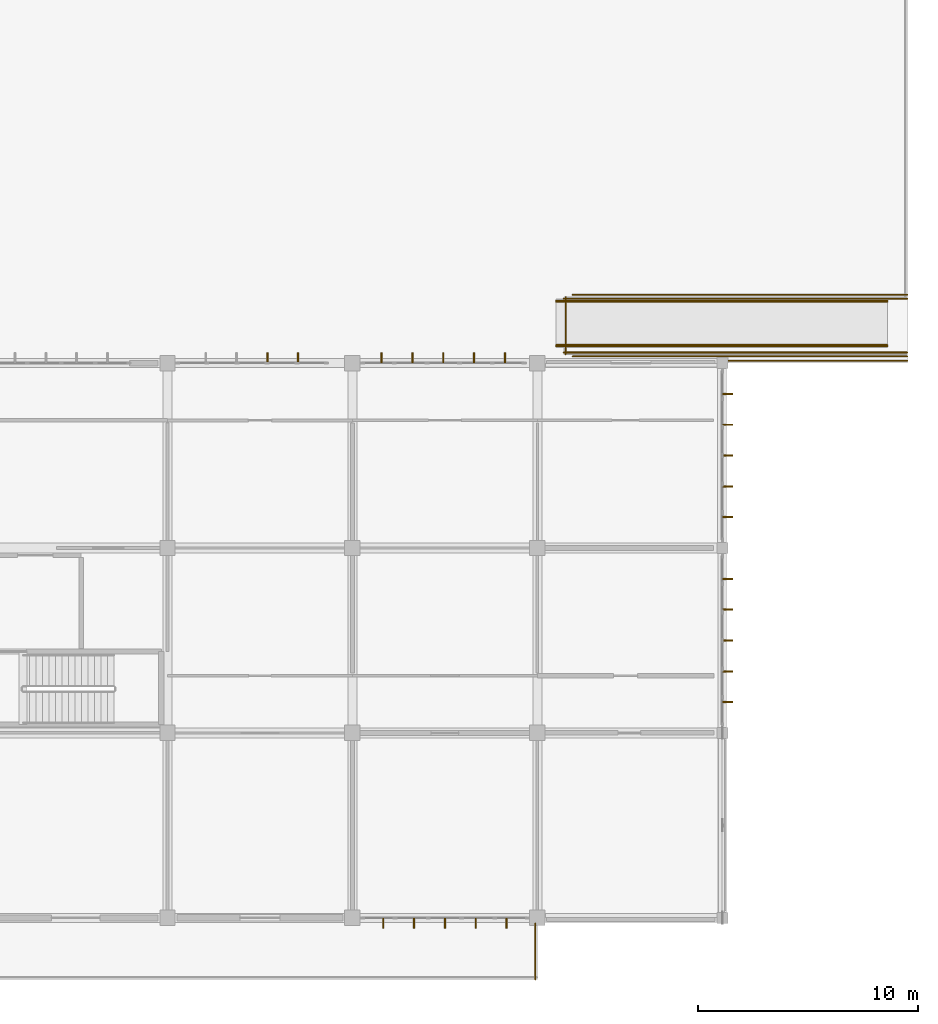
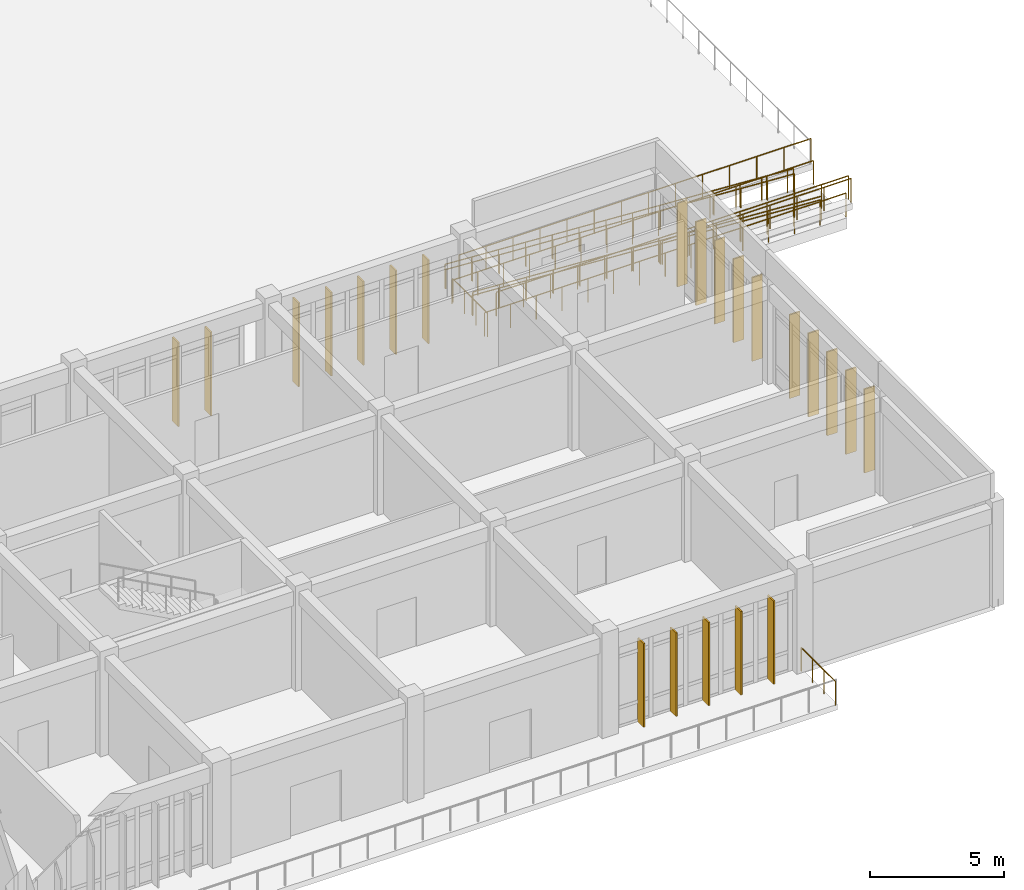
# One storey, part 132 of 138: 22 shading devices, 11 railings.
"""IFC4 building model written with IfcOpenShell, lengths in metres."""

from ifc_helpers import new_model, si_unit, direction, frame, origin, origin_2d, place, context, subcontext, project, spatial, rectangle, circle, extrude, material, material_profile, profile_set, type_object, element, save


model = new_model("IFC4")

# Units and contexts
model_context = context("Model", 3, precision=1e-05, world=origin(), true_north=direction((0.0, 1.0)))
body_context = subcontext(model_context, "Body", "Model", "MODEL_VIEW")
ifc_project = project(units=[si_unit("LENGTHUNIT", "METRE"), si_unit("AREAUNIT", "SQUARE_METRE"), si_unit("VOLUMEUNIT", "CUBIC_METRE"), si_unit("PLANEANGLEUNIT", "RADIAN"), si_unit("MASSUNIT", "GRAM", prefix="KILO")], contexts=[model_context])

# Site, building, storey
site_placement = place(None, origin())
site = spatial("IfcSite", under=ifc_project, at=site_placement, CompositionType="ELEMENT")
building_placement = place(site_placement, origin())
building = spatial("IfcBuilding", under=site, at=building_placement, Name="Bramfleet General Hospital", CompositionType="ELEMENT")
storey_placement = place(building_placement, origin())
storey = spatial("IfcBuildingStorey", under=building, at=storey_placement, Name="L00", CompositionType="ELEMENT", Elevation=0.0)

# Railings
ifc_material_1 = material(Name="Stainless steel 1.4401 safety balustrade", Category="steel")
railing_type_1 = type_object("IfcRailingType", Name="RAIL-EXT-GUARD", PredefinedType="GUARDRAIL", material=ifc_material_1)
railing_1_placement = place(storey_placement, frame((184.800048828125, 28.300048828125, 0.0)))
element("IfcRailing", 1, at=railing_1_placement, inside=storey, type_object=railing_type_1, Name="L00 Flood-Plinth Guard 240", PredefinedType="GUARDRAIL", context=body_context, shape_type="SweptSolid", body=[
    extrude(circle(Radius=0.02392578125, at=origin_2d()), frame((0.0, 0.0, 1.076171875), z_axis=(-1.0, 0.0, 0.0), x_axis=(0.0, -1.0, 0.0)), (0.0, 0.0, 1.0), 15.199951171875),
    extrude(circle(Radius=0.02099609375, at=origin_2d()), origin(), (0.0, 0.0, 1.0), 1.052001953125),
    extrude(circle(Radius=0.02099609375, at=origin_2d()), frame((-1.169189453125, 0.0, 0.0)), (0.0, 0.0, 1.0), 1.052001953125),
    extrude(circle(Radius=0.02099609375, at=origin_2d()), frame((-2.33837890625, 0.0, 0.0)), (0.0, 0.0, 1.0), 1.052001953125),
    extrude(circle(Radius=0.02099609375, at=origin_2d()), frame((-3.507568359375, 0.0, 0.0)), (0.0, 0.0, 1.0), 1.052001953125),
    extrude(circle(Radius=0.02099609375, at=origin_2d()), frame((-4.677001953125, 0.0, 0.0)), (0.0, 0.0, 1.0), 1.052001953125),
    extrude(circle(Radius=0.02099609375, at=origin_2d()), frame((-5.84619140625, 0.0, 0.0)), (0.0, 0.0, 1.0), 1.052001953125),
    extrude(circle(Radius=0.02099609375, at=origin_2d()), frame((-7.015380859375, 0.0, 0.0)), (0.0, 0.0, 1.0), 1.052001953125),
    extrude(circle(Radius=0.02099609375, at=origin_2d()), frame((-8.1845703125, 0.0, 0.0)), (0.0, 0.0, 1.0), 1.052001953125),
    extrude(circle(Radius=0.02099609375, at=origin_2d()), frame((-9.353759765625, 0.0, 0.0)), (0.0, 0.0, 1.0), 1.052001953125),
    extrude(circle(Radius=0.02099609375, at=origin_2d()), frame((-10.52294921875, 0.0, 0.0)), (0.0, 0.0, 1.0), 1.052001953125),
    extrude(circle(Radius=0.02099609375, at=origin_2d()), frame((-11.6923828125, 0.0, 0.0)), (0.0, 0.0, 1.0), 1.052001953125),
    extrude(circle(Radius=0.02099609375, at=origin_2d()), frame((-12.861572265625, 0.0, 0.0)), (0.0, 0.0, 1.0), 1.052001953125),
    extrude(circle(Radius=0.02099609375, at=origin_2d()), frame((-14.03076171875, 0.0, 0.0)), (0.0, 0.0, 1.0), 1.052001953125),
    extrude(circle(Radius=0.02099609375, at=origin_2d()), frame((-15.199951171875, 0.0, 0.0)), (0.0, 0.0, 1.0), 1.052001953125),
])
railing_2_placement = place(storey_placement, frame((169.60009765625, 25.5, 0.0)))
element("IfcRailing", 2, at=railing_2_placement, inside=storey, type_object=railing_type_1, Name="L00 Flood-Plinth Guard 241", PredefinedType="GUARDRAIL", context=body_context, shape_type="SweptSolid", body=[
    extrude(circle(Radius=0.02392578125, at=origin_2d()), frame((0.0, 0.0, 1.076171875), z_axis=(1.0, 0.0, 0.0), x_axis=(0.0, 1.0, 0.0)), (0.0, 0.0, 1.0), 15.199951171875),
    extrude(circle(Radius=0.02099609375, at=origin_2d()), origin(), (0.0, 0.0, 1.0), 1.052001953125),
    extrude(circle(Radius=0.02099609375, at=origin_2d()), frame((1.169189453125, 0.0, 0.0)), (0.0, 0.0, 1.0), 1.052001953125),
    extrude(circle(Radius=0.02099609375, at=origin_2d()), frame((2.33837890625, 0.0, 0.0)), (0.0, 0.0, 1.0), 1.052001953125),
    extrude(circle(Radius=0.02099609375, at=origin_2d()), frame((3.507568359375, 0.0, 0.0)), (0.0, 0.0, 1.0), 1.052001953125),
    extrude(circle(Radius=0.02099609375, at=origin_2d()), frame((4.677001953125, 0.0, 0.0)), (0.0, 0.0, 1.0), 1.052001953125),
    extrude(circle(Radius=0.02099609375, at=origin_2d()), frame((5.84619140625, 0.0, 0.0)), (0.0, 0.0, 1.0), 1.052001953125),
    extrude(circle(Radius=0.02099609375, at=origin_2d()), frame((7.015380859375, 0.0, 0.0)), (0.0, 0.0, 1.0), 1.052001953125),
    extrude(circle(Radius=0.02099609375, at=origin_2d()), frame((8.1845703125, 0.0, 0.0)), (0.0, 0.0, 1.0), 1.052001953125),
    extrude(circle(Radius=0.02099609375, at=origin_2d()), frame((9.353759765625, 0.0, 0.0)), (0.0, 0.0, 1.0), 1.052001953125),
    extrude(circle(Radius=0.02099609375, at=origin_2d()), frame((10.52294921875, 0.0, 0.0)), (0.0, 0.0, 1.0), 1.052001953125),
    extrude(circle(Radius=0.02099609375, at=origin_2d()), frame((11.6923828125, 0.0, 0.0)), (0.0, 0.0, 1.0), 1.052001953125),
    extrude(circle(Radius=0.02099609375, at=origin_2d()), frame((12.861572265625, 0.0, 0.0)), (0.0, 0.0, 1.0), 1.052001953125),
    extrude(circle(Radius=0.02099609375, at=origin_2d()), frame((14.03076171875, 0.0, 0.0)), (0.0, 0.0, 1.0), 1.052001953125),
    extrude(circle(Radius=0.02099609375, at=origin_2d()), frame((15.199951171875, 0.0, 0.0)), (0.0, 0.0, 1.0), 1.052001953125),
])
railing_3_placement = place(storey_placement, frame((184.800048828125, 25.300048828125, 0.0)))
element("IfcRailing", 3, at=railing_3_placement, inside=storey, type_object=railing_type_1, Name="L00 Flood-Plinth Guard 242", PredefinedType="GUARDRAIL", context=body_context, shape_type="SweptSolid", body=[
    extrude(circle(Radius=0.02392578125, at=origin_2d()), frame((0.0, 0.0, 1.076171875), z_axis=(-1.0, 0.0, 0.0), x_axis=(0.0, -1.0, 0.0)), (0.0, 0.0, 1.0), 8.150146484375),
    extrude(circle(Radius=0.02099609375, at=origin_2d()), origin(), (0.0, 0.0, 1.0), 1.052001953125),
    extrude(circle(Radius=0.02099609375, at=origin_2d()), frame((-1.164306640625, 0.0, 0.0)), (0.0, 0.0, 1.0), 1.052001953125),
    extrude(circle(Radius=0.02099609375, at=origin_2d()), frame((-2.32861328125, 0.0, 0.0)), (0.0, 0.0, 1.0), 1.052001953125),
    extrude(circle(Radius=0.02099609375, at=origin_2d()), frame((-3.492919921875, 0.0, 0.0)), (0.0, 0.0, 1.0), 1.052001953125),
    extrude(circle(Radius=0.02099609375, at=origin_2d()), frame((-4.6572265625, 0.0, 0.0)), (0.0, 0.0, 1.0), 1.052001953125),
    extrude(circle(Radius=0.02099609375, at=origin_2d()), frame((-5.821533203125, 0.0, 0.0)), (0.0, 0.0, 1.0), 1.052001953125),
    extrude(circle(Radius=0.02099609375, at=origin_2d()), frame((-6.98583984375, 0.0, 0.0)), (0.0, 0.0, 1.0), 1.052001953125),
    extrude(circle(Radius=0.02099609375, at=origin_2d()), frame((-8.150146484375, 0.0, 0.0)), (0.0, 0.0, 1.0), 1.052001953125),
])
railing_4_placement = place(storey_placement, frame((167.89990234375, -0.25, 0.0)))
element("IfcRailing", 4, at=railing_4_placement, inside=storey, type_object=railing_type_1, Name="L00 Flood-Plinth Guard 243", PredefinedType="GUARDRAIL", context=body_context, shape_type="SweptSolid", body=[
    extrude(circle(Radius=0.02392578125, at=origin_2d()), frame((0.0, 0.0, 1.076171875), z_axis=(0.0, -1.0, 0.0), x_axis=(1.0, 0.0, 0.0)), (0.0, 0.0, 1.0), 2.550048828125),
    extrude(circle(Radius=0.02099609375, at=origin_2d()), origin(), (0.0, 0.0, 1.0), 1.052001953125),
    extrude(circle(Radius=0.02099609375, at=origin_2d()), frame((0.0, -0.85009765625, 0.0)), (0.0, 0.0, 1.0), 1.052001953125),
    extrude(circle(Radius=0.02099609375, at=origin_2d()), frame((0.0, -1.699951171875, 0.0)), (0.0, 0.0, 1.0), 1.052001953125),
    extrude(circle(Radius=0.02099609375, at=origin_2d()), frame((0.0, -2.550048828125, 0.0)), (0.0, 0.0, 1.0), 1.052001953125),
])
railing_5_placement = place(storey_placement, frame((169.199951171875, 25.679931640625, -0.89990234375)))
element("IfcRailing", 5, at=railing_5_placement, inside=storey, type_object=railing_type_1, Name="Ramp Pocket Guard 5.256", PredefinedType="GUARDRAIL", context=body_context, shape_type="SweptSolid", body=[
    extrude(circle(Radius=0.02392578125, at=origin_2d()), frame((0.0, 0.0, 1.076171875), z_axis=(1.0, 0.0, 0.0), x_axis=(0.0, 1.0, 0.0)), (0.0, 0.0, 1.0), 15.60009765625),
    extrude(circle(Radius=0.02099609375, at=origin_2d()), origin(), (0.0, 0.0, 1.0), 1.052001953125),
    extrude(circle(Radius=0.02099609375, at=origin_2d()), frame((1.1142578125, 0.0, 0.0)), (0.0, 0.0, 1.0), 1.052001953125),
    extrude(circle(Radius=0.02099609375, at=origin_2d()), frame((2.228515625, 0.0, 0.0)), (0.0, 0.0, 1.0), 1.052001953125),
    extrude(circle(Radius=0.02099609375, at=origin_2d()), frame((3.3427734375, 0.0, 0.0)), (0.0, 0.0, 1.0), 1.052001953125),
    extrude(circle(Radius=0.02099609375, at=origin_2d()), frame((4.457275390625, 0.0, 0.0)), (0.0, 0.0, 1.0), 1.052001953125),
    extrude(circle(Radius=0.02099609375, at=origin_2d()), frame((5.571533203125, 0.0, 0.0)), (0.0, 0.0, 1.0), 1.052001953125),
    extrude(circle(Radius=0.02099609375, at=origin_2d()), frame((6.685791015625, 0.0, 0.0)), (0.0, 0.0, 1.0), 1.052001953125),
    extrude(circle(Radius=0.02099609375, at=origin_2d()), frame((7.800048828125, 0.0, 0.0)), (0.0, 0.0, 1.0), 1.052001953125),
    extrude(circle(Radius=0.02099609375, at=origin_2d()), frame((8.914306640625, 0.0, 0.0)), (0.0, 0.0, 1.0), 1.052001953125),
    extrude(circle(Radius=0.02099609375, at=origin_2d()), frame((10.028564453125, 0.0, 0.0)), (0.0, 0.0, 1.0), 1.052001953125),
    extrude(circle(Radius=0.02099609375, at=origin_2d()), frame((11.142822265625, 0.0, 0.0)), (0.0, 0.0, 1.0), 1.052001953125),
    extrude(circle(Radius=0.02099609375, at=origin_2d()), frame((12.25732421875, 0.0, 0.0)), (0.0, 0.0, 1.0), 1.052001953125),
    extrude(circle(Radius=0.02099609375, at=origin_2d()), frame((13.37158203125, 0.0, 0.0)), (0.0, 0.0, 1.0), 1.052001953125),
    extrude(circle(Radius=0.02099609375, at=origin_2d()), frame((14.48583984375, 0.0, 0.0)), (0.0, 0.0, 1.0), 1.052001953125),
    extrude(circle(Radius=0.02099609375, at=origin_2d()), frame((15.60009765625, 0.0, 0.0)), (0.0, 0.0, 1.0), 1.052001953125),
])
railing_6_placement = place(storey_placement, frame((184.800048828125, 28.1201171875, -0.89990234375)))
element("IfcRailing", 6, at=railing_6_placement, inside=storey, type_object=railing_type_1, Name="Ramp Pocket Guard 5.257", PredefinedType="GUARDRAIL", context=body_context, shape_type="SweptSolid", body=[
    extrude(circle(Radius=0.02392578125, at=origin_2d()), frame((0.0, 0.0, 1.076171875), z_axis=(-1.0, 0.0, 0.0), x_axis=(0.0, -1.0, 0.0)), (0.0, 0.0, 1.0), 15.60009765625),
    extrude(circle(Radius=0.02099609375, at=origin_2d()), origin(), (0.0, 0.0, 1.0), 1.052001953125),
    extrude(circle(Radius=0.02099609375, at=origin_2d()), frame((-1.1142578125, 0.0, 0.0)), (0.0, 0.0, 1.0), 1.052001953125),
    extrude(circle(Radius=0.02099609375, at=origin_2d()), frame((-2.228515625, 0.0, 0.0)), (0.0, 0.0, 1.0), 1.052001953125),
    extrude(circle(Radius=0.02099609375, at=origin_2d()), frame((-3.3427734375, 0.0, 0.0)), (0.0, 0.0, 1.0), 1.052001953125),
    extrude(circle(Radius=0.02099609375, at=origin_2d()), frame((-4.457275390625, 0.0, 0.0)), (0.0, 0.0, 1.0), 1.052001953125),
    extrude(circle(Radius=0.02099609375, at=origin_2d()), frame((-5.571533203125, 0.0, 0.0)), (0.0, 0.0, 1.0), 1.052001953125),
    extrude(circle(Radius=0.02099609375, at=origin_2d()), frame((-6.685791015625, 0.0, 0.0)), (0.0, 0.0, 1.0), 1.052001953125),
    extrude(circle(Radius=0.02099609375, at=origin_2d()), frame((-7.800048828125, 0.0, 0.0)), (0.0, 0.0, 1.0), 1.052001953125),
    extrude(circle(Radius=0.02099609375, at=origin_2d()), frame((-8.914306640625, 0.0, 0.0)), (0.0, 0.0, 1.0), 1.052001953125),
    extrude(circle(Radius=0.02099609375, at=origin_2d()), frame((-10.028564453125, 0.0, 0.0)), (0.0, 0.0, 1.0), 1.052001953125),
    extrude(circle(Radius=0.02099609375, at=origin_2d()), frame((-11.142822265625, 0.0, 0.0)), (0.0, 0.0, 1.0), 1.052001953125),
    extrude(circle(Radius=0.02099609375, at=origin_2d()), frame((-12.25732421875, 0.0, 0.0)), (0.0, 0.0, 1.0), 1.052001953125),
    extrude(circle(Radius=0.02099609375, at=origin_2d()), frame((-13.37158203125, 0.0, 0.0)), (0.0, 0.0, 1.0), 1.052001953125),
    extrude(circle(Radius=0.02099609375, at=origin_2d()), frame((-14.48583984375, 0.0, 0.0)), (0.0, 0.0, 1.0), 1.052001953125),
    extrude(circle(Radius=0.02099609375, at=origin_2d()), frame((-15.60009765625, 0.0, 0.0)), (0.0, 0.0, 1.0), 1.052001953125),
])
railing_7_placement = place(storey_placement, frame((169.280029296875, 28.199951171875, -0.89990234375)))
element("IfcRailing", 7, at=railing_7_placement, inside=storey, type_object=railing_type_1, Name="Ramp Pocket Guard 5.258", PredefinedType="GUARDRAIL", context=body_context, shape_type="SweptSolid", body=[
    extrude(circle(Radius=0.02392578125, at=origin_2d()), frame((0.0, 0.0, 1.076171875), z_axis=(0.0, -1.0, 0.0), x_axis=(1.0, 0.0, 0.0)), (0.0, 0.0, 1.0), 2.599853515625),
    extrude(circle(Radius=0.02099609375, at=origin_2d()), origin(), (0.0, 0.0, 1.0), 1.052001953125),
    extrude(circle(Radius=0.02099609375, at=origin_2d()), frame((0.0, -0.86669921875, 0.0)), (0.0, 0.0, 1.0), 1.052001953125),
    extrude(circle(Radius=0.02099609375, at=origin_2d()), frame((0.0, -1.733154296875, 0.0)), (0.0, 0.0, 1.0), 1.052001953125),
    extrude(circle(Radius=0.02099609375, at=origin_2d()), frame((0.0, -2.599853515625, 0.0)), (0.0, 0.0, 1.0), 1.052001953125),
])
railing_8_placement = place(storey_placement, frame((183.89990234375, 28.0400390625, -0.89990234375)))
element("IfcRailing", 8, at=railing_8_placement, inside=storey, type_object=railing_type_1, Name="Garden Court South Plinth Ramp Guardrail R", PredefinedType="GUARDRAIL", context=body_context, shape_type="SweptSolid", body=[
    extrude(circle(Radius=0.02392578125, at=origin_2d()), frame((0.0, 0.0, 1.076171875), z_axis=(-0.998217061543, 0.0, 0.059688340939), x_axis=(0.0, -1.0, 0.0)), (0.0, 0.0, 1.0), 15.07666015625),
    extrude(circle(Radius=0.02099609375, at=origin_2d()), origin(), (0.0, 0.0, 1.0), 1.052001953125),
    extrude(circle(Radius=0.02099609375, at=origin_2d()), frame((-1.15771484375, 0.0, 0.0693359375)), (0.0, 0.0, 1.0), 1.052001953125),
    extrude(circle(Radius=0.02099609375, at=origin_2d()), frame((-2.3154296875, 0.0, 0.138427734375)), (0.0, 0.0, 1.0), 1.052001953125),
    extrude(circle(Radius=0.02099609375, at=origin_2d()), frame((-3.47314453125, 0.0, 0.207763671875)), (0.0, 0.0, 1.0), 1.052001953125),
    extrude(circle(Radius=0.02099609375, at=origin_2d()), frame((-4.630615234375, 0.0, 0.27685546875)), (0.0, 0.0, 1.0), 1.052001953125),
    extrude(circle(Radius=0.02099609375, at=origin_2d()), frame((-5.788330078125, 0.0, 0.34619140625)), (0.0, 0.0, 1.0), 1.052001953125),
    extrude(circle(Radius=0.02099609375, at=origin_2d()), frame((-6.946044921875, 0.0, 0.415283203125)), (0.0, 0.0, 1.0), 1.052001953125),
    extrude(circle(Radius=0.02099609375, at=origin_2d()), frame((-8.103759765625, 0.0, 0.484619140625)), (0.0, 0.0, 1.0), 1.052001953125),
    extrude(circle(Radius=0.02099609375, at=origin_2d()), frame((-9.261474609375, 0.0, 0.5537109375)), (0.0, 0.0, 1.0), 1.052001953125),
    extrude(circle(Radius=0.02099609375, at=origin_2d()), frame((-10.419189453125, 0.0, 0.623046875)), (0.0, 0.0, 1.0), 1.052001953125),
    extrude(circle(Radius=0.02099609375, at=origin_2d()), frame((-11.57666015625, 0.0, 0.692138671875)), (0.0, 0.0, 1.0), 1.052001953125),
    extrude(circle(Radius=0.02099609375, at=origin_2d()), frame((-12.734375, 0.0, 0.761474609375)), (0.0, 0.0, 1.0), 1.052001953125),
    extrude(circle(Radius=0.02099609375, at=origin_2d()), frame((-13.89208984375, 0.0, 0.83056640625)), (0.0, 0.0, 1.0), 1.052001953125),
    extrude(circle(Radius=0.02099609375, at=origin_2d()), frame((-15.0498046875, 0.0, 0.89990234375)), (0.0, 0.0, 1.0), 1.052001953125),
])
railing_9_placement = place(storey_placement, frame((183.89990234375, 25.9599609375, -0.89990234375)))
element("IfcRailing", 9, at=railing_9_placement, inside=storey, type_object=railing_type_1, Name="Garden Court South Plinth Ramp Guardrail L", PredefinedType="GUARDRAIL", context=body_context, shape_type="SweptSolid", body=[
    extrude(circle(Radius=0.02392578125, at=origin_2d()), frame((0.0, 0.0, 1.076171875), z_axis=(-0.998217061543, 0.0, 0.059688340939), x_axis=(0.0, -1.0, 0.0)), (0.0, 0.0, 1.0), 15.07666015625),
    extrude(circle(Radius=0.02099609375, at=origin_2d()), origin(), (0.0, 0.0, 1.0), 1.052001953125),
    extrude(circle(Radius=0.02099609375, at=origin_2d()), frame((-1.15771484375, 0.0, 0.0693359375)), (0.0, 0.0, 1.0), 1.052001953125),
    extrude(circle(Radius=0.02099609375, at=origin_2d()), frame((-2.3154296875, 0.0, 0.138427734375)), (0.0, 0.0, 1.0), 1.052001953125),
    extrude(circle(Radius=0.02099609375, at=origin_2d()), frame((-3.47314453125, 0.0, 0.207763671875)), (0.0, 0.0, 1.0), 1.052001953125),
    extrude(circle(Radius=0.02099609375, at=origin_2d()), frame((-4.630615234375, 0.0, 0.27685546875)), (0.0, 0.0, 1.0), 1.052001953125),
    extrude(circle(Radius=0.02099609375, at=origin_2d()), frame((-5.788330078125, 0.0, 0.34619140625)), (0.0, 0.0, 1.0), 1.052001953125),
    extrude(circle(Radius=0.02099609375, at=origin_2d()), frame((-6.946044921875, 0.0, 0.415283203125)), (0.0, 0.0, 1.0), 1.052001953125),
    extrude(circle(Radius=0.02099609375, at=origin_2d()), frame((-8.103759765625, 0.0, 0.484619140625)), (0.0, 0.0, 1.0), 1.052001953125),
    extrude(circle(Radius=0.02099609375, at=origin_2d()), frame((-9.261474609375, 0.0, 0.5537109375)), (0.0, 0.0, 1.0), 1.052001953125),
    extrude(circle(Radius=0.02099609375, at=origin_2d()), frame((-10.419189453125, 0.0, 0.623046875)), (0.0, 0.0, 1.0), 1.052001953125),
    extrude(circle(Radius=0.02099609375, at=origin_2d()), frame((-11.57666015625, 0.0, 0.692138671875)), (0.0, 0.0, 1.0), 1.052001953125),
    extrude(circle(Radius=0.02099609375, at=origin_2d()), frame((-12.734375, 0.0, 0.761474609375)), (0.0, 0.0, 1.0), 1.052001953125),
    extrude(circle(Radius=0.02099609375, at=origin_2d()), frame((-13.89208984375, 0.0, 0.83056640625)), (0.0, 0.0, 1.0), 1.052001953125),
    extrude(circle(Radius=0.02099609375, at=origin_2d()), frame((-15.0498046875, 0.0, 0.89990234375)), (0.0, 0.0, 1.0), 1.052001953125),
])
ifc_material_2 = material(Name="Stainless steel 1.4401 handrail", Category="steel")
railing_type_2 = type_object("IfcRailingType", Name="RAIL-EXT-HND", PredefinedType="HANDRAIL", material=ifc_material_2)
railing_10_placement = place(storey_placement, frame((183.89990234375, 27.97998046875, -0.89990234375)))
element("IfcRailing", 10, at=railing_10_placement, inside=storey, type_object=railing_type_2, Name="Garden Court South Plinth Ramp Handrail R", PredefinedType="HANDRAIL", context=body_context, shape_type="SweptSolid", body=[
    extrude(circle(Radius=0.02392578125, at=origin_2d()), frame((0.0, 0.0, 0.8759765625), z_axis=(-0.998217061543, 0.0, 0.059688340939), x_axis=(0.0, -1.0, 0.0)), (0.0, 0.0, 1.0), 15.07666015625),
    extrude(circle(Radius=0.02099609375, at=origin_2d()), origin(), (0.0, 0.0, 1.0), 0.851806640625),
    extrude(circle(Radius=0.02099609375, at=origin_2d()), frame((-1.15771484375, 0.0, 0.0693359375)), (0.0, 0.0, 1.0), 0.851806640625),
    extrude(circle(Radius=0.02099609375, at=origin_2d()), frame((-2.3154296875, 0.0, 0.138427734375)), (0.0, 0.0, 1.0), 0.851806640625),
    extrude(circle(Radius=0.02099609375, at=origin_2d()), frame((-3.47314453125, 0.0, 0.207763671875)), (0.0, 0.0, 1.0), 0.851806640625),
    extrude(circle(Radius=0.02099609375, at=origin_2d()), frame((-4.630615234375, 0.0, 0.27685546875)), (0.0, 0.0, 1.0), 0.851806640625),
    extrude(circle(Radius=0.02099609375, at=origin_2d()), frame((-5.788330078125, 0.0, 0.34619140625)), (0.0, 0.0, 1.0), 0.851806640625),
    extrude(circle(Radius=0.02099609375, at=origin_2d()), frame((-6.946044921875, 0.0, 0.415283203125)), (0.0, 0.0, 1.0), 0.851806640625),
    extrude(circle(Radius=0.02099609375, at=origin_2d()), frame((-8.103759765625, 0.0, 0.484619140625)), (0.0, 0.0, 1.0), 0.851806640625),
    extrude(circle(Radius=0.02099609375, at=origin_2d()), frame((-9.261474609375, 0.0, 0.5537109375)), (0.0, 0.0, 1.0), 0.851806640625),
    extrude(circle(Radius=0.02099609375, at=origin_2d()), frame((-10.419189453125, 0.0, 0.623046875)), (0.0, 0.0, 1.0), 0.851806640625),
    extrude(circle(Radius=0.02099609375, at=origin_2d()), frame((-11.57666015625, 0.0, 0.692138671875)), (0.0, 0.0, 1.0), 0.851806640625),
    extrude(circle(Radius=0.02099609375, at=origin_2d()), frame((-12.734375, 0.0, 0.761474609375)), (0.0, 0.0, 1.0), 0.851806640625),
    extrude(circle(Radius=0.02099609375, at=origin_2d()), frame((-13.89208984375, 0.0, 0.83056640625)), (0.0, 0.0, 1.0), 0.851806640625),
    extrude(circle(Radius=0.02099609375, at=origin_2d()), frame((-15.0498046875, 0.0, 0.89990234375)), (0.0, 0.0, 1.0), 0.851806640625),
])
railing_11_placement = place(storey_placement, frame((183.89990234375, 26.02001953125, -0.89990234375)))
element("IfcRailing", 11, at=railing_11_placement, inside=storey, type_object=railing_type_2, Name="Garden Court South Plinth Ramp Handrail L", PredefinedType="HANDRAIL", context=body_context, shape_type="SweptSolid", body=[
    extrude(circle(Radius=0.02392578125, at=origin_2d()), frame((0.0, 0.0, 0.8759765625), z_axis=(-0.998217061543, 0.0, 0.059688340939), x_axis=(0.0, -1.0, 0.0)), (0.0, 0.0, 1.0), 15.07666015625),
    extrude(circle(Radius=0.02099609375, at=origin_2d()), origin(), (0.0, 0.0, 1.0), 0.851806640625),
    extrude(circle(Radius=0.02099609375, at=origin_2d()), frame((-1.15771484375, 0.0, 0.0693359375)), (0.0, 0.0, 1.0), 0.851806640625),
    extrude(circle(Radius=0.02099609375, at=origin_2d()), frame((-2.3154296875, 0.0, 0.138427734375)), (0.0, 0.0, 1.0), 0.851806640625),
    extrude(circle(Radius=0.02099609375, at=origin_2d()), frame((-3.47314453125, 0.0, 0.207763671875)), (0.0, 0.0, 1.0), 0.851806640625),
    extrude(circle(Radius=0.02099609375, at=origin_2d()), frame((-4.630615234375, 0.0, 0.27685546875)), (0.0, 0.0, 1.0), 0.851806640625),
    extrude(circle(Radius=0.02099609375, at=origin_2d()), frame((-5.788330078125, 0.0, 0.34619140625)), (0.0, 0.0, 1.0), 0.851806640625),
    extrude(circle(Radius=0.02099609375, at=origin_2d()), frame((-6.946044921875, 0.0, 0.415283203125)), (0.0, 0.0, 1.0), 0.851806640625),
    extrude(circle(Radius=0.02099609375, at=origin_2d()), frame((-8.103759765625, 0.0, 0.484619140625)), (0.0, 0.0, 1.0), 0.851806640625),
    extrude(circle(Radius=0.02099609375, at=origin_2d()), frame((-9.261474609375, 0.0, 0.5537109375)), (0.0, 0.0, 1.0), 0.851806640625),
    extrude(circle(Radius=0.02099609375, at=origin_2d()), frame((-10.419189453125, 0.0, 0.623046875)), (0.0, 0.0, 1.0), 0.851806640625),
    extrude(circle(Radius=0.02099609375, at=origin_2d()), frame((-11.57666015625, 0.0, 0.692138671875)), (0.0, 0.0, 1.0), 0.851806640625),
    extrude(circle(Radius=0.02099609375, at=origin_2d()), frame((-12.734375, 0.0, 0.761474609375)), (0.0, 0.0, 1.0), 0.851806640625),
    extrude(circle(Radius=0.02099609375, at=origin_2d()), frame((-13.89208984375, 0.0, 0.83056640625)), (0.0, 0.0, 1.0), 0.851806640625),
    extrude(circle(Radius=0.02099609375, at=origin_2d()), frame((-15.0498046875, 0.0, 0.89990234375)), (0.0, 0.0, 1.0), 0.851806640625),
])

# Shading devices
ifc_material_3 = material(Name="Treated European larch timber", Category="wood")
ifc_material_profile = material_profile(ifc_material_3, rectangle(XDim=0.06494140625, YDim=0.449951171875, at=origin_2d()), Name="LARCH FIN 450x65")
ifc_profile_set = profile_set([ifc_material_profile], Name="Treated European larch timber")
shading_device_type = type_object("IfcShadingDeviceType", Name="SHD-FIN-450", PredefinedType="USERDEFINED", material=ifc_profile_set)
for number, where, z_axis, x_axis, name in (
    (12, (155.736572265625, 25.43994140625, -0.02001953125), (0.0, 0.0, 1.0), (1.0, 0.0, 0.0), "L00 Larch Timber Shading Fin 102"),
    (13, (157.136474609375, 25.43994140625, -0.02001953125), (0.0, 0.0, 1.0), (1.0, 0.0, 0.0), "L00 Larch Timber Shading Fin 103"),
    (14, (160.924560546875, 25.43994140625, -0.02001953125), (0.0, 0.0, 1.0), (1.0, 0.0, 0.0), "L00 Larch Timber Shading Fin 104"),
    (15, (162.324462890625, 25.43994140625, -0.02001953125), (0.0, 0.0, 1.0), (1.0, 0.0, 0.0), "L00 Larch Timber Shading Fin 105"),
    (16, (163.724609375, 25.43994140625, -0.02001953125), (0.0, 0.0, 1.0), (1.0, 0.0, 0.0), "L00 Larch Timber Shading Fin 106"),
    (17, (165.12451171875, 25.43994140625, -0.02001953125), (0.0, 0.0, 1.0), (1.0, 0.0, 0.0), "L00 Larch Timber Shading Fin 107"),
    (18, (166.5244140625, 25.43994140625, -0.02001953125), (0.0, 0.0, 1.0), (1.0, 0.0, 0.0), "L00 Larch Timber Shading Fin 108"),
    (19, (176.639892578125, 23.800048828125, -0.02001953125), (0.0, 0.0, 1.0), (0.0, -1.0, 0.0), "L00 Larch Timber Shading Fin 109"),
    (20, (176.639892578125, 22.39990234375, -0.02001953125), (0.0, 0.0, 1.0), (0.0, -1.0, 0.0), "L00 Larch Timber Shading Fin 110"),
    (21, (176.639892578125, 21.0, -0.02001953125), (0.0, 0.0, 1.0), (0.0, -1.0, 0.0), "L00 Larch Timber Shading Fin 111"),
    (22, (176.639892578125, 19.60009765625, -0.02001953125), (0.0, 0.0, 1.0), (0.0, -1.0, 0.0), "L00 Larch Timber Shading Fin 112"),
    (23, (176.639892578125, 18.199951171875, -0.02001953125), (0.0, 0.0, 1.0), (0.0, -1.0, 0.0), "L00 Larch Timber Shading Fin 113"),
    (24, (176.639892578125, 15.39990234375, -0.02001953125), (0.0, 0.0, 1.0), (0.0, -1.0, 0.0), "L00 Larch Timber Shading Fin 114"),
    (25, (176.639892578125, 14.0, -0.02001953125), (0.0, 0.0, 1.0), (0.0, -1.0, 0.0), "L00 Larch Timber Shading Fin 115"),
    (26, (176.639892578125, 12.60009765625, -0.02001953125), (0.0, 0.0, 1.0), (0.0, -1.0, 0.0), "L00 Larch Timber Shading Fin 116"),
    (27, (176.639892578125, 11.199951171875, -0.02001953125), (0.0, 0.0, 1.0), (0.0, -1.0, 0.0), "L00 Larch Timber Shading Fin 117"),
    (28, (176.639892578125, 9.800048828125, -0.02001953125), (0.0, 0.0, 1.0), (0.0, -1.0, 0.0), "L00 Larch Timber Shading Fin 118"),
    (29, (166.60009765625, -0.239990234375, -0.02001953125), (0.0, 0.0, 1.0), (-1.0, 0.0, 0.0), "L00 Larch Timber Shading Fin 119"),
    (30, (165.199951171875, -0.239990234375, -0.02001953125), (0.0, 0.0, 1.0), (-1.0, 0.0, 0.0), "L00 Larch Timber Shading Fin 120"),
    (31, (163.800048828125, -0.239990234375, -0.02001953125), (0.0, 0.0, 1.0), (-1.0, 0.0, 0.0), "L00 Larch Timber Shading Fin 121"),
    (32, (162.39990234375, -0.239990234375, -0.02001953125), (0.0, 0.0, 1.0), (-1.0, 0.0, 0.0), "L00 Larch Timber Shading Fin 122"),
    (33, (161.0, -0.239990234375, -0.02001953125), (0.0, 0.0, 1.0), (-1.0, 0.0, 0.0), "L00 Larch Timber Shading Fin 123"),
):
    element("IfcShadingDevice", number, at=place(storey_placement, frame(where, z_axis=z_axis, x_axis=x_axis)), inside=storey, type_object=shading_device_type, Name=name, ObjectType="Fin", PredefinedType="USERDEFINED", context=body_context, shape_type="SweptSolid", body=[
        extrude(rectangle(XDim=0.06494140625, YDim=0.449951171875, at=origin_2d()), origin(), (0.0, 0.0, 1.0), 3.820068359375),
    ])

save(model, "model.ifc")
